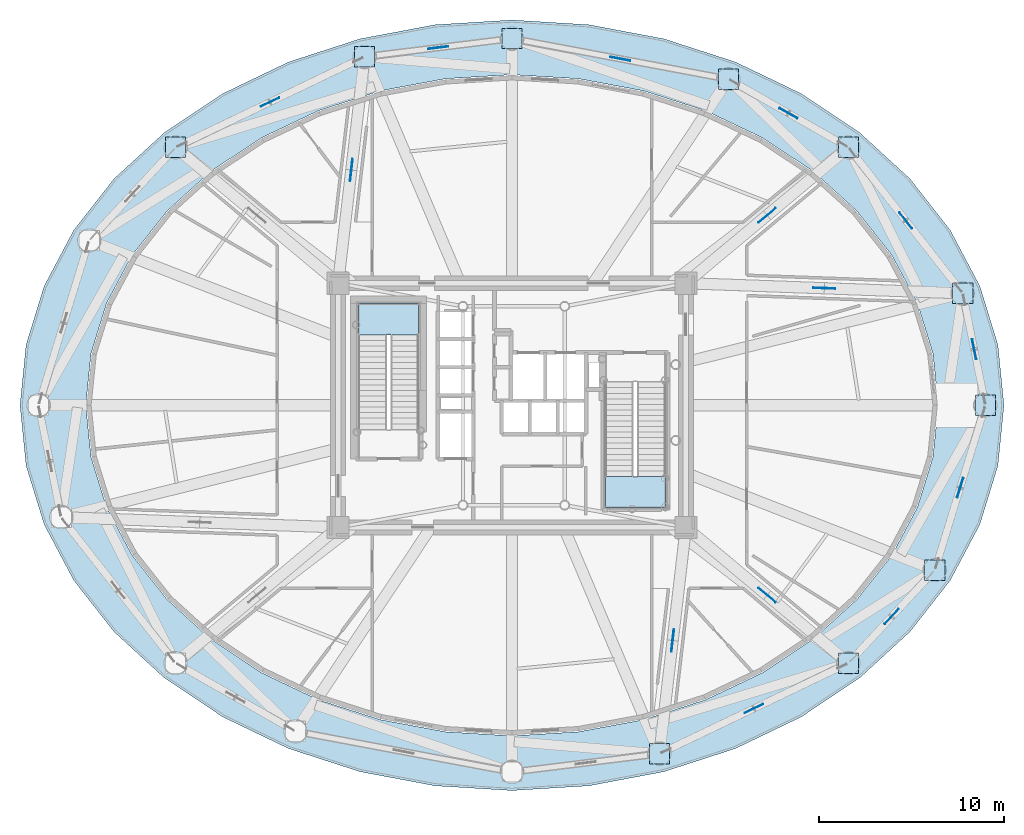
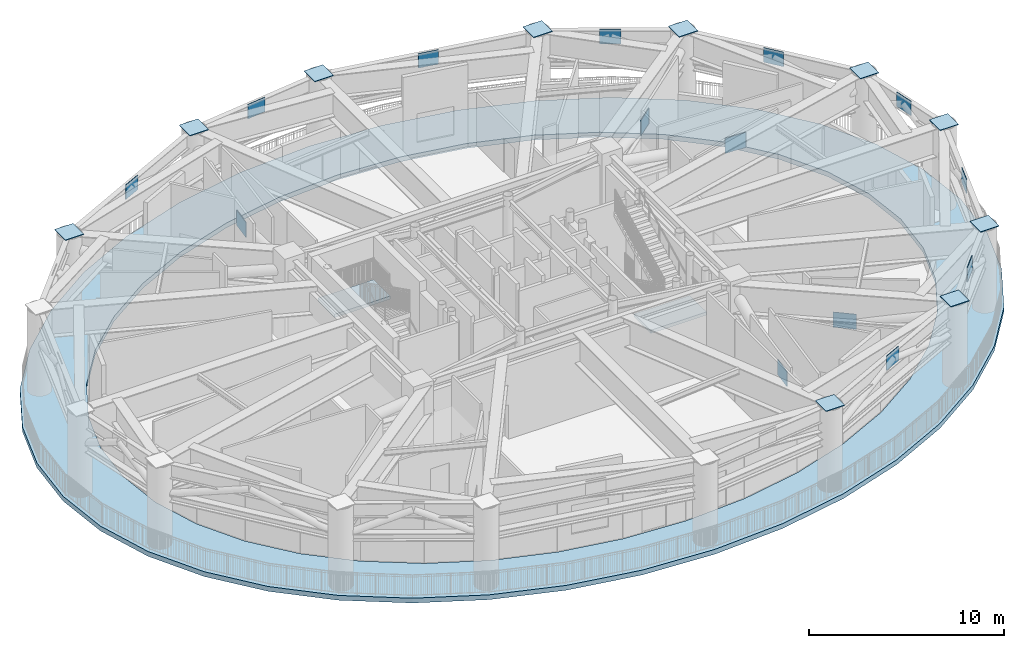
# One storey, part 6 of 20: 24 plates, 3 slabs, 2 elements without a shape of their own.
"""IFC4 building model written with IfcOpenShell, lengths in metres."""

from ifc_helpers import new_model, si_unit, direction, frame, origin, origin_2d, place, context, subcontext, project, spatial, polyline, rectangle, outline, extrude, source, transform, mapped, material, layer, layer_set, type_object, element, aggregate, save


model = new_model("IFC4")

# Units and contexts
model_context = context("Model", 3, precision=1e-05, world=origin(), true_north=direction((0.0, 1.0)))
body_context = subcontext(model_context, "Body", "Model", "MODEL_VIEW")
ifc_project = project(units=[si_unit("LENGTHUNIT", "METRE"), si_unit("AREAUNIT", "SQUARE_METRE"), si_unit("VOLUMEUNIT", "CUBIC_METRE"), si_unit("PLANEANGLEUNIT", "RADIAN"), si_unit("MASSUNIT", "GRAM", prefix="KILO")], contexts=[model_context])

# Site, building, storey
site_placement = place(None, origin())
site = spatial("IfcSite", under=ifc_project, at=site_placement, CompositionType="ELEMENT")
building_placement = place(site_placement, origin())
building = spatial("IfcBuilding", under=site, at=building_placement, Name="Linh Dai School and Residence Tower", CompositionType="ELEMENT")
storey_placement = place(building_placement, frame((0.0, 0.0, 204.89990234375)))
storey = spatial("IfcBuildingStorey", under=building, at=storey_placement, Name="L50", CompositionType="ELEMENT", Elevation=204.89990234375)

# Slab
ifc_material_1 = material(Name="Concrete B45 (C35/45)", Category="concrete")
ifc_layer_1 = layer(ifc_material_1, 0.300048828125)
ifc_layer_set_1 = layer_set([ifc_layer_1], Name="Concrete B45 (C35/45)")
slab_type_1 = type_object("IfcSlabType", Name="SLB-DECK300", PredefinedType="FLOOR", material=ifc_layer_set_1)
slab_1_placement = place(storey_placement, frame((0.0, 0.0, -0.2998046875)))
element("IfcSlab", 1, at=slab_1_placement, inside=storey, type_object=slab_type_1, Name="L50 Planted Sky-Garden Refuge Terrace Slab", PredefinedType="FLOOR", context=body_context, shape_type="SweptSolid", body=[
    extrude(outline(polyline([(62.60009765625, 27.0), (62.2724609375, 30.258544921875), (61.298095703125, 33.436767578125), (59.70068359375, 36.45654296875), (57.519775390625, 39.24365234375), (54.80908203125, 41.72900390625), (51.635009765625, 43.851806640625), (48.076171875, 45.5595703125), (44.219970703125, 46.810546875), (40.1611328125, 47.573486328125), (36.0, 47.830078125), (31.8388671875, 47.573486328125), (27.780029296875, 46.810546875), (23.923828125, 45.5595703125), (20.364990234375, 43.851806640625), (17.19091796875, 41.72900390625), (14.480224609375, 39.24365234375), (12.29931640625, 36.45654296875), (10.701904296875, 33.436767578125), (9.7275390625, 30.258544921875), (9.39990234375, 27.0), (9.7275390625, 23.741455078125), (10.701904296875, 20.563232421875), (12.29931640625, 17.54345703125), (14.480224609375, 14.75634765625), (17.19091796875, 12.27099609375), (20.364990234375, 10.148193359375), (23.923828125, 8.4404296875), (27.780029296875, 7.189453125), (31.8388671875, 6.426513671875), (36.0, 6.169921875), (40.1611328125, 6.426513671875), (44.219970703125, 7.189453125), (48.076171875, 8.4404296875), (51.635009765625, 10.148193359375), (54.80908203125, 12.27099609375), (57.519775390625, 14.75634765625), (59.70068359375, 17.54345703125), (61.298095703125, 20.563232421875), (62.2724609375, 23.741455078125), (62.60009765625, 27.0)]), holes=[polyline([(59.0400390625, 27.0), (58.75634765625, 29.79541015625), (57.912353515625, 32.522216796875), (56.52880859375, 35.11279296875), (54.6396484375, 37.503662109375), (52.291748046875, 39.635986328125), (49.54248046875, 41.45703125), (46.4599609375, 42.92236328125), (43.119873046875, 43.995361328125), (39.604248046875, 44.64990234375), (36.0, 44.8701171875), (32.395751953125, 44.64990234375), (28.880126953125, 43.995361328125), (25.5400390625, 42.92236328125), (22.45751953125, 41.45703125), (19.708251953125, 39.635986328125), (17.3603515625, 37.503662109375), (15.47119140625, 35.11279296875), (14.087646484375, 32.522216796875), (13.24365234375, 29.79541015625), (12.9599609375, 27.0), (13.24365234375, 24.20458984375), (14.087646484375, 21.477783203125), (15.47119140625, 18.88720703125), (17.3603515625, 16.496337890625), (19.708251953125, 14.364013671875), (22.45751953125, 12.54296875), (25.5400390625, 11.07763671875), (28.880126953125, 10.004638671875), (32.395751953125, 9.35009765625), (36.0, 9.1298828125), (39.604248046875, 9.35009765625), (43.119873046875, 10.004638671875), (46.4599609375, 11.07763671875), (49.54248046875, 12.54296875), (52.291748046875, 14.364013671875), (54.6396484375, 16.496337890625), (56.52880859375, 18.88720703125), (57.912353515625, 21.477783203125), (58.75634765625, 24.20458984375), (59.0400390625, 27.0)])]), origin(), (0.0, 0.0, 1.0), 0.2998046875),
])

# Stair, slab
stair_type = type_object("IfcStairType", Name="ST-DOG-1550-R1500", PredefinedType="HALF_TURN_STAIR", material=ifc_material_1)
stair_1_placement = place(storey_placement, origin())
stair_1 = element("IfcStair", 2, at=stair_1_placement, inside=storey, type_object=stair_type, Name="L50 Core Smokeproof Exit Stair ST1", PredefinedType="HALF_TURN_STAIR")
ifc_layer_2 = layer(ifc_material_1, 0.199951171875)
ifc_layer_set_2 = layer_set([ifc_layer_2], Name="Concrete B45 (C35/45)")
slab_type_2 = type_object("IfcSlabType", Name="SLB-ST-LANDING-200", PredefinedType="LANDING", material=ifc_layer_set_2)
slab_2_placement = place(storey_placement, frame((0.0, 0.0, 2.5)))
slab_2 = element("IfcSlab", 3, at=slab_2_placement, type_object=slab_type_2, Name="ST1 landing 1", PredefinedType="LANDING", context=body_context, shape_type="SweptSolid", body=[
    extrude(outline(polyline([(30.97998046875, 30.800048828125), (30.97998046875, 32.5), (27.679931640625, 32.5), (27.679931640625, 30.800048828125), (30.97998046875, 30.800048828125)])), origin(), (0.0, 0.0, 1.0), 0.2001953125),
])
aggregate(stair_1, [slab_2])

stair_2_placement = place(storey_placement, origin())
stair_2 = element("IfcStair", 4, at=stair_2_placement, inside=storey, type_object=stair_type, Name="L50 Core Smokeproof Exit Stair ST2", PredefinedType="HALF_TURN_STAIR")
slab_3_placement = place(storey_placement, frame((0.0, 0.0, 2.5)))
slab_3 = element("IfcSlab", 5, at=slab_3_placement, type_object=slab_type_2, Name="ST2 landing 1", PredefinedType="LANDING", context=body_context, shape_type="SweptSolid", body=[
    extrude(outline(polyline([(41.02001953125, 23.14990234375), (41.02001953125, 21.449951171875), (44.320068359375, 21.449951171875), (44.320068359375, 23.14990234375), (41.02001953125, 23.14990234375)])), origin(), (0.0, 0.0, 1.0), 0.2001953125),
])
aggregate(stair_2, [slab_3])

# Plates
ifc_material_2 = material(Name="Structural Steel S355JR", Category="steel")
ifc_layer_3 = layer(ifc_material_2, 0.0400390625)
ifc_layer_set_3 = layer_set([ifc_layer_3], Name="Structural Steel S355JR")
plate_type = type_object("IfcPlateType", Name="PLT-GP1", PredefinedType="USERDEFINED", material=ifc_layer_set_3)
shared_shape_1 = source(origin(), body_context, "Body", "SweptSolid", [
    extrude(rectangle(XDim=1.10009765625, YDim=1.10009765625, at=origin_2d()), origin(), (0.0, 0.0, 1.0), 0.0400390625),
])
for number, where, z_axis, x_axis, name in (
    (6, (61.60009765625, 27.0, 5.150146484375), (0.0, 0.0, 1.0), (1.0, 0.0, 0.0), "L50 MC01 Column Cap Plate"),
    (7, (60.37451171875, 33.053466796875, 5.150146484375), (0.0, 0.0, 1.0), (1.0, 0.0, 0.0), "L50 MC02 Column Cap Plate"),
    (8, (54.1923828125, 40.941650390625, 5.150146484375), (0.0, 0.0, 1.0), (1.0, 0.0, 0.0), "L50 MC03 Column Cap Plate"),
    (9, (47.70556640625, 44.630859375, 5.150146484375), (0.0, 0.0, 1.0), (1.0, 0.0, 0.0), "L50 MC04 Column Cap Plate"),
    (10, (36.0, 46.830078125, 5.150146484375), (0.0, 0.0, 1.0), (1.0, 0.0, 0.0), "L50 MC05 Column Cap Plate"),
    (11, (28.026611328125, 45.84130859375, 5.150146484375), (0.0, 0.0, 1.0), (1.0, 0.0, 0.0), "L50 MC06 Column Cap Plate"),
    (12, (17.8076171875, 40.941650390625, 5.150146484375), (0.0, 0.0, 1.0), (1.0, 0.0, 0.0), "L50 MC07 Column Cap Plate"),
    (13, (43.973388671875, 8.15869140625, 5.150146484375), (0.0, 0.0, 1.0), (1.0, 0.0, 0.0), "L50 MC14 Column Cap Plate"),
    (14, (54.1923828125, 13.058349609375, 5.150146484375), (0.0, 0.0, 1.0), (1.0, 0.0, 0.0), "L50 MC15 Column Cap Plate"),
    (15, (58.862548828125, 18.0888671875, 5.150146484375), (0.0, 0.0, 1.0), (1.0, 0.0, 0.0), "L50 MC16 Column Cap Plate"),
):
    element("IfcPlate", number, at=place(storey_placement, frame(where, z_axis=z_axis, x_axis=x_axis)), inside=storey, type_object=plate_type, Name=name, ObjectType="GUSSET PLATE", PredefinedType="USERDEFINED", context=body_context, shape_type="MappedRepresentation", body=[
        mapped(shared_shape_1, transform((0.0, 0.0, 0.0), x_axis=(1.0, 0.0, 0.0), y_axis=(0.0, 1.0, 0.0), z_axis=(0.0, 0.0, 1.0), scale=1.0)),
    ])
shared_shape_2 = source(origin(), body_context, "Body", "SweptSolid", [
    extrude(rectangle(XDim=1.10009765625, YDim=0.0400390625, at=origin_2d()), origin(), (0.0, 0.0, 1.0), 0.89990234375),
])
for number, where, z_axis, x_axis, name in (
    (16, (60.9873046875, 30.02685546875, 4.250244140625), (0.0, 0.0, 1.0), (-0.198423978756, 0.98011628119, 0.0), "L50 Belt Truss BT3 Node Gusset Plate 01"),
    (17, (57.283447265625, 36.99755859375, 4.250244140625), (0.0, 0.0, 1.0), (-0.616842561711, 0.787086560717, 0.0), "L50 Belt Truss BT3 Node Gusset Plate 02"),
    (18, (50.948974609375, 42.786376953125, 4.250244140625), (0.0, 0.0, 1.0), (-0.869261064655, 0.49435331644, 0.0), "L50 Belt Truss BT3 Node Gusset Plate 03"),
    (19, (41.852783203125, 45.73046875, 4.250244140625), (0.0, 0.0, 1.0), (-0.982806135608, 0.184640460926, 0.0), "L50 Belt Truss BT3 Node Gusset Plate 04"),
    (20, (32.013427734375, 46.335693359375, 4.250244140625), (0.0, 0.0, 1.0), (-0.992400608349, -0.123048903076, 0.0), "L50 Belt Truss BT3 Node Gusset Plate 05"),
    (21, (22.917236328125, 43.3916015625, 4.250244140625), (0.0, 0.0, 1.0), (-0.901714218118, -0.432332590541, 0.0), "L50 Belt Truss BT3 Node Gusset Plate 06"),
    (22, (49.082763671875, 10.6083984375, 4.250244140625), (0.0, 0.0, 1.0), (0.901714218118, 0.432332590541, 0.0), "L50 Belt Truss BT3 Node Gusset Plate 14"),
    (23, (56.527587890625, 15.573486328125, 4.250244140625), (0.0, 0.0, 1.0), (0.680367716843, 0.732870909423, 0.0), "L50 Belt Truss BT3 Node Gusset Plate 15"),
    (24, (60.231201171875, 22.54443359375, 4.250244140625), (0.0, 0.0, 1.0), (0.293644327933, 0.955914749689, 0.0), "L50 Belt Truss BT3 Node Gusset Plate 16"),
):
    element("IfcPlate", number, at=place(storey_placement, frame(where, z_axis=z_axis, x_axis=x_axis)), inside=storey, type_object=plate_type, Name=name, ObjectType="GUSSET PLATE", PredefinedType="USERDEFINED", context=body_context, shape_type="MappedRepresentation", body=[
        mapped(shared_shape_2, transform((0.0, 0.0, 0.0), x_axis=(1.0, 0.0, 0.0), y_axis=(0.0, 1.0, 0.0), z_axis=(0.0, 0.0, 1.0), scale=1.0)),
    ])
shared_shape_3 = source(origin(), body_context, "Body", "SweptSolid", [
    extrude(rectangle(XDim=1.199951171875, YDim=0.0400390625, at=origin_2d()), origin(), (0.0, 0.0, 1.0), 0.949951171875),
])
for number, where, z_axis, x_axis, name in (
    (25, (52.88720703125, 33.326904296875, 2.625), (0.0, 0.0, 1.0), (0.999334901391, -0.036465804, 0.0), "L50 Outrigger Truss OT2 Node Gusset Plate 01"),
    (26, (49.796142578125, 37.270751953125, 2.625), (0.0, 0.0, 1.0), (0.767592952028, 0.64093764127, 0.0), "L50 Outrigger Truss OT2 Node Gusset Plate 02"),
    (27, (27.3134765625, 39.720703125, 2.625), (0.0, 0.0, 1.0), (0.115766098724, 0.993276502484, 0.0), "L50 Outrigger Truss OT2 Node Gusset Plate 03"),
    (28, (44.6865234375, 14.279296875, 2.625), (0.0, 0.0, 1.0), (-0.115766098724, -0.993276502484, 0.0), "L50 Outrigger Truss OT2 Node Gusset Plate 07"),
    (29, (49.796142578125, 16.729248046875, 2.625), (0.0, 0.0, 1.0), (0.767592952028, -0.64093764127, 0.0), "L50 Outrigger Truss OT2 Node Gusset Plate 08"),
):
    element("IfcPlate", number, at=place(storey_placement, frame(where, z_axis=z_axis, x_axis=x_axis)), inside=storey, type_object=plate_type, Name=name, ObjectType="GUSSET PLATE", PredefinedType="USERDEFINED", context=body_context, shape_type="MappedRepresentation", body=[
        mapped(shared_shape_3, transform((0.0, 0.0, 0.0), x_axis=(1.0, 0.0, 0.0), y_axis=(0.0, 1.0, 0.0), z_axis=(0.0, 0.0, 1.0), scale=1.0)),
    ])

save(model, "model.ifc")
